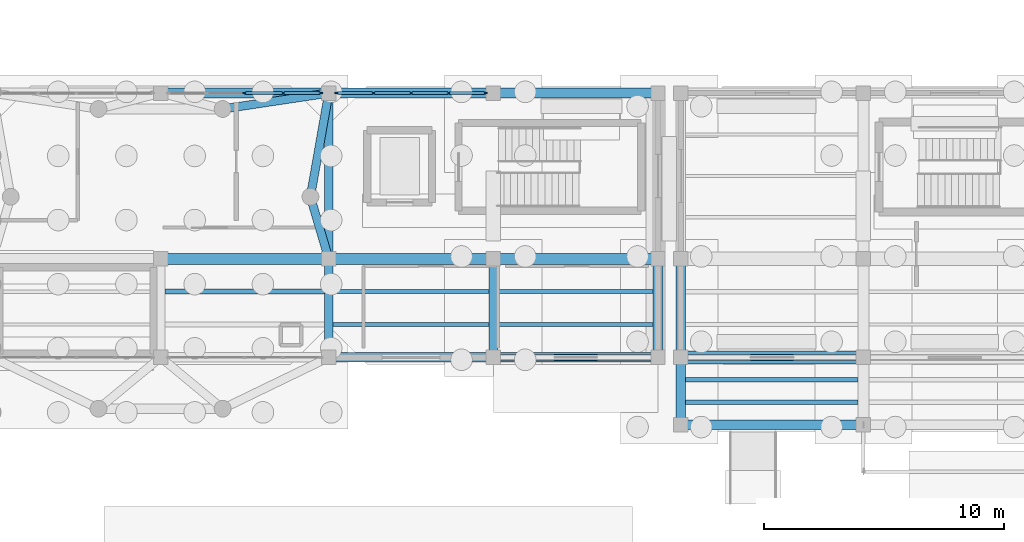
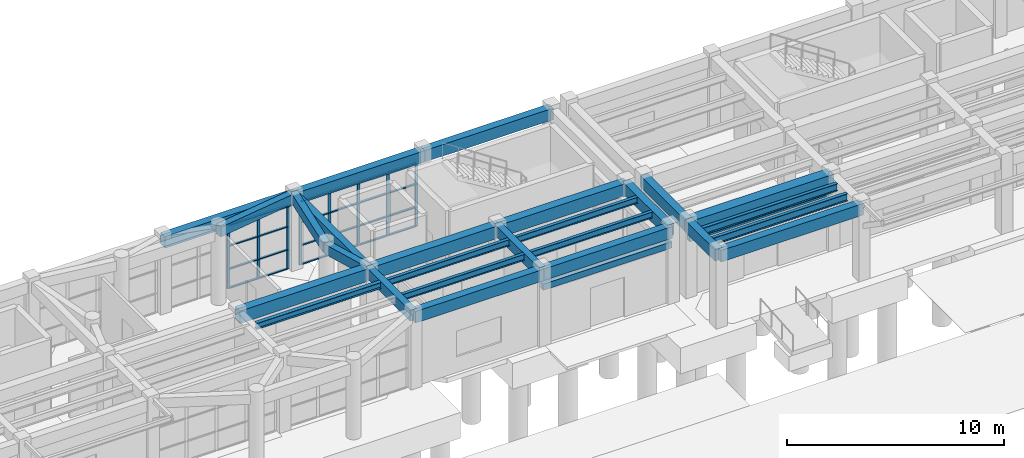
# One storey, part 12 of 41: 32 members, 28 beams, 2 elements without a shape of their own.
"""IFC4 building model written with IfcOpenShell, lengths in metres."""

from ifc_helpers import new_model, si_unit, direction, frame, origin, origin_2d, place, context, subcontext, project, spatial, rectangle, i_section, extrude, material, layer, layer_set, material_profile, profile_set, type_object, element, aggregate, save


model = new_model("IFC4")

# Units and contexts
model_context = context("Model", 3, precision=1e-05, world=origin(), true_north=direction((0.0, 1.0)))
body_context = subcontext(model_context, "Body", "Model", "MODEL_VIEW")
ifc_project = project(units=[si_unit("LENGTHUNIT", "METRE"), si_unit("AREAUNIT", "SQUARE_METRE"), si_unit("VOLUMEUNIT", "CUBIC_METRE"), si_unit("PLANEANGLEUNIT", "RADIAN"), si_unit("MASSUNIT", "GRAM", prefix="KILO")], contexts=[model_context])

# Site, building, storey
site_placement = place(None, origin())
site = spatial("IfcSite", under=ifc_project, at=site_placement, CompositionType="ELEMENT")
building_placement = place(site_placement, origin())
building = spatial("IfcBuilding", under=site, at=building_placement, Name="Candilejo Ridge Gondola Terminal", CompositionType="ELEMENT")
storey_placement = place(building_placement, origin())
storey = spatial("IfcBuildingStorey", under=building, at=storey_placement, Name="L00", CompositionType="ELEMENT", Elevation=0.0)

# Curtain wall, members
ifc_material_1 = material(Name="Anodised aluminium AA 6063-T6", Category="aluminium")
ifc_layer_1 = layer(ifc_material_1, 0.169921875)
ifc_layer_set_1 = layer_set([ifc_layer_1], Name="ARC-CW-DRUM-3400-640X359")
curtain_wall_type_1 = type_object("IfcCurtainWallType", Name="ARC-CW-DRUM-3400-640X359", PredefinedType="NOTDEFINED", material=ifc_layer_set_1)
curtain_wall_1_placement = place(storey_placement, origin())
curtain_wall_1 = element("IfcCurtainWall", 1, at=curtain_wall_1_placement, inside=storey, type_object=curtain_wall_type_1, Name="Curtain wall V2 L00-031", PredefinedType="NOTDEFINED")
ifc_material_2 = material(Name="Anodised aluminium AA 6063-T6", Category="aluminium")
ifc_material_profile_1 = material_profile(ifc_material_2, rectangle(XDim=0.06494140625, YDim=0.14990234375, at=origin_2d()))
ifc_profile_set_1 = profile_set([ifc_material_profile_1], Name="Anodised aluminium AA 6063-T6")
member_type_1 = type_object("IfcMemberType", Name="ARC-CW-MULLION-150", PredefinedType="MULLION", material=ifc_profile_set_1)
member_1_placement = place(storey_placement, frame((68.85009765625, 36.699951171875, 0.0), z_axis=(0.0, 0.0, 1.0), x_axis=(0.0, 1.0, 0.0)))
member_1 = element("IfcMember", 2, at=member_1_placement, type_object=member_type_1, Name="CW-64X35 mullion 3", PredefinedType="MULLION", context=body_context, shape_type="SweptSolid", body=[
    extrude(rectangle(XDim=0.06494140625, YDim=0.14990234375, at=origin_2d()), origin(), (0.0, 0.0, 1.0), 3.590087890625),
])
member_2_placement = place(storey_placement, frame((70.449951171875, 36.699951171875, 0.0), z_axis=(0.0, 0.0, 1.0), x_axis=(0.0, 1.0, 0.0)))
member_2 = element("IfcMember", 3, at=member_2_placement, type_object=member_type_1, Name="CW-64X35 mullion 4", PredefinedType="MULLION", context=body_context, shape_type="SweptSolid", body=[
    extrude(rectangle(XDim=0.06494140625, YDim=0.14990234375, at=origin_2d()), origin(), (0.0, 0.0, 1.0), 3.590087890625),
])
member_3_placement = place(storey_placement, frame((72.017578125, 36.699951171875, 0.0), z_axis=(0.0, 0.0, 1.0), x_axis=(0.0, 1.0, 0.0)))
member_3 = element("IfcMember", 4, at=member_3_placement, type_object=member_type_1, Name="CW-64X35 mullion 5", PredefinedType="MULLION", context=body_context, shape_type="SweptSolid", body=[
    extrude(rectangle(XDim=0.06494140625, YDim=0.14990234375, at=origin_2d()), origin(), (0.0, 0.0, 1.0), 3.590087890625),
])

ifc_material_3 = material(Name="Anodised aluminium AA 6063-T6", Category="aluminium")
ifc_layer_2 = layer(ifc_material_3, 0.169921875)
ifc_layer_set_2 = layer_set([ifc_layer_2], Name="ARC-CW-DRUM-3400-625X359")
curtain_wall_type_2 = type_object("IfcCurtainWallType", Name="ARC-CW-DRUM-3400-625X359", PredefinedType="NOTDEFINED", material=ifc_layer_set_2)
curtain_wall_2_placement = place(storey_placement, origin())
curtain_wall_2 = element("IfcCurtainWall", 5, at=curtain_wall_2_placement, inside=storey, type_object=curtain_wall_type_2, Name="Curtain wall V2 L00-033", PredefinedType="NOTDEFINED")
member_4_placement = place(storey_placement, frame((72.6826171875, 36.699951171875, 0.0), z_axis=(0.0, 0.0, 1.0), x_axis=(0.0, 1.0, 0.0)))
member_4 = element("IfcMember", 6, at=member_4_placement, type_object=member_type_1, Name="CW-62X35 mullion 1", PredefinedType="MULLION", context=body_context, shape_type="SweptSolid", body=[
    extrude(rectangle(XDim=0.06494140625, YDim=0.14990234375, at=origin_2d()), origin(), (0.0, 0.0, 1.0), 3.590087890625),
])
member_5_placement = place(storey_placement, frame((74.21240234375, 36.699951171875, 0.0), z_axis=(0.0, 0.0, 1.0), x_axis=(0.0, 1.0, 0.0)))
member_5 = element("IfcMember", 7, at=member_5_placement, type_object=member_type_1, Name="CW-62X35 mullion 2", PredefinedType="MULLION", context=body_context, shape_type="SweptSolid", body=[
    extrude(rectangle(XDim=0.06494140625, YDim=0.14990234375, at=origin_2d()), origin(), (0.0, 0.0, 1.0), 3.590087890625),
])
member_6_placement = place(storey_placement, frame((75.77490234375, 36.699951171875, 0.0), z_axis=(0.0, 0.0, 1.0), x_axis=(0.0, 1.0, 0.0)))
member_6 = element("IfcMember", 8, at=member_6_placement, type_object=member_type_1, Name="CW-62X35 mullion 3", PredefinedType="MULLION", context=body_context, shape_type="SweptSolid", body=[
    extrude(rectangle(XDim=0.06494140625, YDim=0.14990234375, at=origin_2d()), origin(), (0.0, 0.0, 1.0), 3.590087890625),
])
member_7_placement = place(storey_placement, frame((77.33740234375, 36.699951171875, 0.0), z_axis=(0.0, 0.0, 1.0), x_axis=(0.0, 1.0, 0.0)))
member_7 = element("IfcMember", 9, at=member_7_placement, type_object=member_type_1, Name="CW-62X35 mullion 4", PredefinedType="MULLION", context=body_context, shape_type="SweptSolid", body=[
    extrude(rectangle(XDim=0.06494140625, YDim=0.14990234375, at=origin_2d()), origin(), (0.0, 0.0, 1.0), 3.590087890625),
])
member_8_placement = place(storey_placement, frame((78.867431640625, 36.699951171875, 0.0), z_axis=(0.0, 0.0, 1.0), x_axis=(0.0, 1.0, 0.0)))
member_8 = element("IfcMember", 10, at=member_8_placement, type_object=member_type_1, Name="CW-62X35 mullion 5", PredefinedType="MULLION", context=body_context, shape_type="SweptSolid", body=[
    extrude(rectangle(XDim=0.06494140625, YDim=0.14990234375, at=origin_2d()), origin(), (0.0, 0.0, 1.0), 3.590087890625),
])

# Member
ifc_material_4 = material(Name="Anodised aluminium AA 6063-T6", Category="aluminium")
ifc_material_profile_2 = material_profile(ifc_material_4, rectangle(XDim=0.110107421875, YDim=0.06005859375, at=origin_2d()))
ifc_profile_set_2 = profile_set([ifc_material_profile_2], Name="Anodised aluminium AA 6063-T6")
member_type_2 = type_object("IfcMemberType", Name="ARC-CW-TRANSOM-110", PredefinedType="USERDEFINED", material=ifc_profile_set_2)
member_9_placement = place(storey_placement, frame((68.882568359375, 36.699951171875, 0.030029296875), z_axis=(1.0, 0.0, 0.0), x_axis=(0.0, 1.0, 0.0)))
member_9 = element("IfcMember", 11, at=member_9_placement, type_object=member_type_2, Name="CW-64X35 transom 3.1", ObjectType="TRANSOM", PredefinedType="USERDEFINED", context=body_context, shape_type="SweptSolid", body=[
    extrude(rectangle(XDim=0.110107421875, YDim=0.06005859375, at=origin_2d()), origin(), (0.0, 0.0, 1.0), 1.534912109375),
])

member_10_placement = place(storey_placement, frame((68.882568359375, 36.699951171875, 1.10009765625), z_axis=(1.0, 0.0, 0.0), x_axis=(0.0, 1.0, 0.0)))
member_10 = element("IfcMember", 12, at=member_10_placement, type_object=member_type_2, Name="CW-64X35 transom 3.2", ObjectType="TRANSOM", PredefinedType="USERDEFINED", context=body_context, shape_type="SweptSolid", body=[
    extrude(rectangle(XDim=0.110107421875, YDim=0.06005859375, at=origin_2d()), origin(), (0.0, 0.0, 1.0), 1.534912109375),
])

member_11_placement = place(storey_placement, frame((68.882568359375, 36.699951171875, 2.39990234375), z_axis=(1.0, 0.0, 0.0), x_axis=(0.0, 1.0, 0.0)))
member_11 = element("IfcMember", 13, at=member_11_placement, type_object=member_type_2, Name="CW-64X35 transom 3.3", ObjectType="TRANSOM", PredefinedType="USERDEFINED", context=body_context, shape_type="SweptSolid", body=[
    extrude(rectangle(XDim=0.110107421875, YDim=0.06005859375, at=origin_2d()), origin(), (0.0, 0.0, 1.0), 1.534912109375),
])

member_12_placement = place(storey_placement, frame((68.882568359375, 36.699951171875, 3.56005859375), z_axis=(1.0, 0.0, 0.0), x_axis=(0.0, 1.0, 0.0)))
member_12 = element("IfcMember", 14, at=member_12_placement, type_object=member_type_2, Name="CW-64X35 transom 3.4", ObjectType="TRANSOM", PredefinedType="USERDEFINED", context=body_context, shape_type="SweptSolid", body=[
    extrude(rectangle(XDim=0.110107421875, YDim=0.06005859375, at=origin_2d()), origin(), (0.0, 0.0, 1.0), 1.534912109375),
])

member_13_placement = place(storey_placement, frame((70.482421875, 36.699951171875, 0.030029296875), z_axis=(1.0, 0.0, 0.0), x_axis=(0.0, 1.0, 0.0)))
member_13 = element("IfcMember", 15, at=member_13_placement, type_object=member_type_2, Name="CW-64X35 transom 4.1", ObjectType="TRANSOM", PredefinedType="USERDEFINED", context=body_context, shape_type="SweptSolid", body=[
    extrude(rectangle(XDim=0.110107421875, YDim=0.06005859375, at=origin_2d()), origin(), (0.0, 0.0, 1.0), 1.502685546875),
])

member_14_placement = place(storey_placement, frame((70.482421875, 36.699951171875, 1.10009765625), z_axis=(1.0, 0.0, 0.0), x_axis=(0.0, 1.0, 0.0)))
member_14 = element("IfcMember", 16, at=member_14_placement, type_object=member_type_2, Name="CW-64X35 transom 4.2", ObjectType="TRANSOM", PredefinedType="USERDEFINED", context=body_context, shape_type="SweptSolid", body=[
    extrude(rectangle(XDim=0.110107421875, YDim=0.06005859375, at=origin_2d()), origin(), (0.0, 0.0, 1.0), 1.502685546875),
])

member_15_placement = place(storey_placement, frame((70.482421875, 36.699951171875, 2.39990234375), z_axis=(1.0, 0.0, 0.0), x_axis=(0.0, 1.0, 0.0)))
member_15 = element("IfcMember", 17, at=member_15_placement, type_object=member_type_2, Name="CW-64X35 transom 4.3", ObjectType="TRANSOM", PredefinedType="USERDEFINED", context=body_context, shape_type="SweptSolid", body=[
    extrude(rectangle(XDim=0.110107421875, YDim=0.06005859375, at=origin_2d()), origin(), (0.0, 0.0, 1.0), 1.502685546875),
])

member_16_placement = place(storey_placement, frame((70.482421875, 36.699951171875, 3.56005859375), z_axis=(1.0, 0.0, 0.0), x_axis=(0.0, 1.0, 0.0)))
member_16 = element("IfcMember", 18, at=member_16_placement, type_object=member_type_2, Name="CW-64X35 transom 4.4", ObjectType="TRANSOM", PredefinedType="USERDEFINED", context=body_context, shape_type="SweptSolid", body=[
    extrude(rectangle(XDim=0.110107421875, YDim=0.06005859375, at=origin_2d()), origin(), (0.0, 0.0, 1.0), 1.502685546875),
])

aggregate(curtain_wall_1, [member_1, member_2, member_3, member_9, member_10, member_11, member_12, member_13, member_14, member_15, member_16])

member_17_placement = place(storey_placement, frame((72.715087890625, 36.699951171875, 0.030029296875), z_axis=(1.0, 0.0, 0.0), x_axis=(0.0, 1.0, 0.0)))
member_17 = element("IfcMember", 19, at=member_17_placement, type_object=member_type_2, Name="CW-62X35 transom 1.1", ObjectType="TRANSOM", PredefinedType="USERDEFINED", context=body_context, shape_type="SweptSolid", body=[
    extrude(rectangle(XDim=0.110107421875, YDim=0.06005859375, at=origin_2d()), origin(), (0.0, 0.0, 1.0), 1.46484375),
])

member_18_placement = place(storey_placement, frame((72.715087890625, 36.699951171875, 1.10009765625), z_axis=(1.0, 0.0, 0.0), x_axis=(0.0, 1.0, 0.0)))
member_18 = element("IfcMember", 20, at=member_18_placement, type_object=member_type_2, Name="CW-62X35 transom 1.2", ObjectType="TRANSOM", PredefinedType="USERDEFINED", context=body_context, shape_type="SweptSolid", body=[
    extrude(rectangle(XDim=0.110107421875, YDim=0.06005859375, at=origin_2d()), origin(), (0.0, 0.0, 1.0), 1.46484375),
])

member_19_placement = place(storey_placement, frame((72.715087890625, 36.699951171875, 2.39990234375), z_axis=(1.0, 0.0, 0.0), x_axis=(0.0, 1.0, 0.0)))
member_19 = element("IfcMember", 21, at=member_19_placement, type_object=member_type_2, Name="CW-62X35 transom 1.3", ObjectType="TRANSOM", PredefinedType="USERDEFINED", context=body_context, shape_type="SweptSolid", body=[
    extrude(rectangle(XDim=0.110107421875, YDim=0.06005859375, at=origin_2d()), origin(), (0.0, 0.0, 1.0), 1.46484375),
])

member_20_placement = place(storey_placement, frame((72.715087890625, 36.699951171875, 3.56005859375), z_axis=(1.0, 0.0, 0.0), x_axis=(0.0, 1.0, 0.0)))
member_20 = element("IfcMember", 22, at=member_20_placement, type_object=member_type_2, Name="CW-62X35 transom 1.4", ObjectType="TRANSOM", PredefinedType="USERDEFINED", context=body_context, shape_type="SweptSolid", body=[
    extrude(rectangle(XDim=0.110107421875, YDim=0.06005859375, at=origin_2d()), origin(), (0.0, 0.0, 1.0), 1.46484375),
])

member_21_placement = place(storey_placement, frame((74.2451171875, 36.699951171875, 0.030029296875), z_axis=(1.0, 0.0, 0.0), x_axis=(0.0, 1.0, 0.0)))
member_21 = element("IfcMember", 23, at=member_21_placement, type_object=member_type_2, Name="CW-62X35 transom 2.1", ObjectType="TRANSOM", PredefinedType="USERDEFINED", context=body_context, shape_type="SweptSolid", body=[
    extrude(rectangle(XDim=0.110107421875, YDim=0.06005859375, at=origin_2d()), origin(), (0.0, 0.0, 1.0), 1.497314453125),
])

member_22_placement = place(storey_placement, frame((74.2451171875, 36.699951171875, 1.10009765625), z_axis=(1.0, 0.0, 0.0), x_axis=(0.0, 1.0, 0.0)))
member_22 = element("IfcMember", 24, at=member_22_placement, type_object=member_type_2, Name="CW-62X35 transom 2.2", ObjectType="TRANSOM", PredefinedType="USERDEFINED", context=body_context, shape_type="SweptSolid", body=[
    extrude(rectangle(XDim=0.110107421875, YDim=0.06005859375, at=origin_2d()), origin(), (0.0, 0.0, 1.0), 1.497314453125),
])

member_23_placement = place(storey_placement, frame((74.2451171875, 36.699951171875, 2.39990234375), z_axis=(1.0, 0.0, 0.0), x_axis=(0.0, 1.0, 0.0)))
member_23 = element("IfcMember", 25, at=member_23_placement, type_object=member_type_2, Name="CW-62X35 transom 2.3", ObjectType="TRANSOM", PredefinedType="USERDEFINED", context=body_context, shape_type="SweptSolid", body=[
    extrude(rectangle(XDim=0.110107421875, YDim=0.06005859375, at=origin_2d()), origin(), (0.0, 0.0, 1.0), 1.497314453125),
])

member_24_placement = place(storey_placement, frame((74.2451171875, 36.699951171875, 3.56005859375), z_axis=(1.0, 0.0, 0.0), x_axis=(0.0, 1.0, 0.0)))
member_24 = element("IfcMember", 26, at=member_24_placement, type_object=member_type_2, Name="CW-62X35 transom 2.4", ObjectType="TRANSOM", PredefinedType="USERDEFINED", context=body_context, shape_type="SweptSolid", body=[
    extrude(rectangle(XDim=0.110107421875, YDim=0.06005859375, at=origin_2d()), origin(), (0.0, 0.0, 1.0), 1.497314453125),
])

member_25_placement = place(storey_placement, frame((75.8076171875, 36.699951171875, 0.030029296875), z_axis=(1.0, 0.0, 0.0), x_axis=(0.0, 1.0, 0.0)))
member_25 = element("IfcMember", 27, at=member_25_placement, type_object=member_type_2, Name="CW-62X35 transom 3.1", ObjectType="TRANSOM", PredefinedType="USERDEFINED", context=body_context, shape_type="SweptSolid", body=[
    extrude(rectangle(XDim=0.110107421875, YDim=0.06005859375, at=origin_2d()), origin(), (0.0, 0.0, 1.0), 1.497314453125),
])

member_26_placement = place(storey_placement, frame((75.8076171875, 36.699951171875, 1.10009765625), z_axis=(1.0, 0.0, 0.0), x_axis=(0.0, 1.0, 0.0)))
member_26 = element("IfcMember", 28, at=member_26_placement, type_object=member_type_2, Name="CW-62X35 transom 3.2", ObjectType="TRANSOM", PredefinedType="USERDEFINED", context=body_context, shape_type="SweptSolid", body=[
    extrude(rectangle(XDim=0.110107421875, YDim=0.06005859375, at=origin_2d()), origin(), (0.0, 0.0, 1.0), 1.497314453125),
])

member_27_placement = place(storey_placement, frame((75.8076171875, 36.699951171875, 2.39990234375), z_axis=(1.0, 0.0, 0.0), x_axis=(0.0, 1.0, 0.0)))
member_27 = element("IfcMember", 29, at=member_27_placement, type_object=member_type_2, Name="CW-62X35 transom 3.3", ObjectType="TRANSOM", PredefinedType="USERDEFINED", context=body_context, shape_type="SweptSolid", body=[
    extrude(rectangle(XDim=0.110107421875, YDim=0.06005859375, at=origin_2d()), origin(), (0.0, 0.0, 1.0), 1.497314453125),
])

member_28_placement = place(storey_placement, frame((75.8076171875, 36.699951171875, 3.56005859375), z_axis=(1.0, 0.0, 0.0), x_axis=(0.0, 1.0, 0.0)))
member_28 = element("IfcMember", 30, at=member_28_placement, type_object=member_type_2, Name="CW-62X35 transom 3.4", ObjectType="TRANSOM", PredefinedType="USERDEFINED", context=body_context, shape_type="SweptSolid", body=[
    extrude(rectangle(XDim=0.110107421875, YDim=0.06005859375, at=origin_2d()), origin(), (0.0, 0.0, 1.0), 1.497314453125),
])

member_29_placement = place(storey_placement, frame((77.3701171875, 36.699951171875, 0.030029296875), z_axis=(1.0, 0.0, 0.0), x_axis=(0.0, 1.0, 0.0)))
member_29 = element("IfcMember", 31, at=member_29_placement, type_object=member_type_2, Name="CW-62X35 transom 4.1", ObjectType="TRANSOM", PredefinedType="USERDEFINED", context=body_context, shape_type="SweptSolid", body=[
    extrude(rectangle(XDim=0.110107421875, YDim=0.06005859375, at=origin_2d()), origin(), (0.0, 0.0, 1.0), 1.46484375),
])

member_30_placement = place(storey_placement, frame((77.3701171875, 36.699951171875, 1.10009765625), z_axis=(1.0, 0.0, 0.0), x_axis=(0.0, 1.0, 0.0)))
member_30 = element("IfcMember", 32, at=member_30_placement, type_object=member_type_2, Name="CW-62X35 transom 4.2", ObjectType="TRANSOM", PredefinedType="USERDEFINED", context=body_context, shape_type="SweptSolid", body=[
    extrude(rectangle(XDim=0.110107421875, YDim=0.06005859375, at=origin_2d()), origin(), (0.0, 0.0, 1.0), 1.46484375),
])

member_31_placement = place(storey_placement, frame((77.3701171875, 36.699951171875, 2.39990234375), z_axis=(1.0, 0.0, 0.0), x_axis=(0.0, 1.0, 0.0)))
member_31 = element("IfcMember", 33, at=member_31_placement, type_object=member_type_2, Name="CW-62X35 transom 4.3", ObjectType="TRANSOM", PredefinedType="USERDEFINED", context=body_context, shape_type="SweptSolid", body=[
    extrude(rectangle(XDim=0.110107421875, YDim=0.06005859375, at=origin_2d()), origin(), (0.0, 0.0, 1.0), 1.46484375),
])

member_32_placement = place(storey_placement, frame((77.3701171875, 36.699951171875, 3.56005859375), z_axis=(1.0, 0.0, 0.0), x_axis=(0.0, 1.0, 0.0)))
member_32 = element("IfcMember", 34, at=member_32_placement, type_object=member_type_2, Name="CW-62X35 transom 4.4", ObjectType="TRANSOM", PredefinedType="USERDEFINED", context=body_context, shape_type="SweptSolid", body=[
    extrude(rectangle(XDim=0.110107421875, YDim=0.06005859375, at=origin_2d()), origin(), (0.0, 0.0, 1.0), 1.46484375),
])

aggregate(curtain_wall_2, [member_4, member_5, member_6, member_7, member_8, member_17, member_18, member_19, member_20, member_21, member_22, member_23, member_24, member_25, member_26, member_27, member_28, member_29, member_30, member_31, member_32])

# Beams
ifc_material_5 = material(Name="Concrete f'c 35 MPa (C35/45)", Category="concrete")
ifc_material_profile_3 = material_profile(ifc_material_5, rectangle(XDim=0.35009765625, YDim=0.550048828125, at=origin_2d()))
ifc_profile_set_3 = profile_set([ifc_material_profile_3], Name="Concrete f'c 35 MPa (C35/45)")
beam_type_1 = type_object("IfcBeamType", Name="STR-BM-RC350X550", PredefinedType="BEAM", material=ifc_profile_set_3)
beam_1_placement = place(storey_placement, frame((71.586181640625, 32.383056640625, 3.985107421875), z_axis=(0.283603790168, -0.958941546812, 0.0), x_axis=(0.958941546812, 0.283603790168, 0.0)))
element("IfcBeam", 35, at=beam_1_placement, inside=storey, type_object=beam_type_1, Name="Rotunda radial tie beam L00 ROT1", PredefinedType="BEAM", context=body_context, shape_type="SweptSolid", body=[
    extrude(rectangle(XDim=0.35009765625, YDim=0.550048828125, at=origin_2d()), origin(), (0.0, 0.0, 1.0), 2.693603515625),
])
beam_2_placement = place(storey_placement, frame((71.586181640625, 32.383056640625, 3.985107421875), z_axis=(0.174252320949, 0.984701035159, 0.0), x_axis=(-0.984701035159, 0.174252320949, 0.0)))
element("IfcBeam", 36, at=beam_2_placement, inside=storey, type_object=beam_type_1, Name="Rotunda radial tie beam L00 ROT1", PredefinedType="BEAM", context=body_context, shape_type="SweptSolid", body=[
    extrude(rectangle(XDim=0.35009765625, YDim=0.550048828125, at=origin_2d()), origin(), (0.0, 0.0, 1.0), 4.384033203125),
])
beam_3_placement = place(storey_placement, frame((67.93310546875, 36.0361328125, 3.985107421875), z_axis=(0.98889461777, 0.148618420612, 0.0), x_axis=(-0.148618420612, 0.98889461777, 0.0)))
element("IfcBeam", 37, at=beam_3_placement, inside=storey, type_object=beam_type_1, Name="Rotunda radial tie beam L00 ROT2", PredefinedType="BEAM", context=body_context, shape_type="SweptSolid", body=[
    extrude(rectangle(XDim=0.35009765625, YDim=0.550048828125, at=origin_2d()), origin(), (0.0, 0.0, 1.0), 4.466552734375),
])
ifc_material_6 = material(Name="Concrete f'c 35 MPa (C35/45)", Category="concrete")
ifc_material_profile_4 = material_profile(ifc_material_6, rectangle(XDim=0.35009765625, YDim=0.60009765625, at=origin_2d()))
ifc_profile_set_4 = profile_set([ifc_material_profile_4], Name="Concrete f'c 35 MPa (C35/45)")
beam_type_2 = type_object("IfcBeamType", Name="STR-BM-RC350X600", PredefinedType="BEAM", material=ifc_profile_set_4)
beam_4_placement = place(storey_placement, frame((72.35009765625, 25.699951171875, 3.9599609375), z_axis=(0.0, 1.0, 0.0), x_axis=(-1.0, 0.0, 0.0)))
element("IfcBeam", 38, at=beam_4_placement, inside=storey, type_object=beam_type_2, Name="Beam Y V2 L00 Y05-Y06@X11", PredefinedType="BEAM", context=body_context, shape_type="SweptSolid", body=[
    extrude(rectangle(XDim=0.35009765625, YDim=0.60009765625, at=origin_2d()), origin(), (0.0, 0.0, 1.0), 4.10009765625),
])
beam_5_placement = place(storey_placement, frame((72.35009765625, 29.800048828125, 3.9599609375), z_axis=(0.0, 1.0, 0.0), x_axis=(-1.0, 0.0, 0.0)))
element("IfcBeam", 39, at=beam_5_placement, inside=storey, type_object=beam_type_2, Name="Beam Y V2 L00 Y06-Y07@X11", PredefinedType="BEAM", context=body_context, shape_type="SweptSolid", body=[
    extrude(rectangle(XDim=0.35009765625, YDim=0.60009765625, at=origin_2d()), origin(), (0.0, 0.0, 1.0), 6.89990234375),
])
beam_6_placement = place(storey_placement, frame((79.199951171875, 25.699951171875, 3.9599609375), z_axis=(0.0, 1.0, 0.0), x_axis=(-1.0, 0.0, 0.0)))
element("IfcBeam", 40, at=beam_6_placement, inside=storey, type_object=beam_type_2, Name="Beam Y V2 L00 Y05-Y06@X12", PredefinedType="BEAM", context=body_context, shape_type="SweptSolid", body=[
    extrude(rectangle(XDim=0.35009765625, YDim=0.60009765625, at=origin_2d()), origin(), (0.0, 0.0, 1.0), 4.10009765625),
])
ifc_material_7 = material(Name="Concrete f'c 35 MPa (C35/45)", Category="concrete")
ifc_material_profile_5 = material_profile(ifc_material_7, rectangle(XDim=0.449951171875, YDim=0.699951171875, at=origin_2d()))
ifc_profile_set_5 = profile_set([ifc_material_profile_5], Name="Concrete f'c 35 MPa (C35/45)")
beam_type_3 = type_object("IfcBeamType", Name="STR-BM-RC450X700", PredefinedType="BEAM", material=ifc_profile_set_5)
beam_7_placement = place(storey_placement, frame((65.35009765625, 29.800048828125, 3.909912109375), z_axis=(1.0, 0.0, 0.0), x_axis=(0.0, 1.0, 0.0)))
element("IfcBeam", 41, at=beam_7_placement, inside=storey, type_object=beam_type_3, Name="Beam X V2 L00 X10-X11@Y06", PredefinedType="BEAM", context=body_context, shape_type="SweptSolid", body=[
    extrude(rectangle(XDim=0.449951171875, YDim=0.699951171875, at=origin_2d()), origin(), (0.0, 0.0, 1.0), 7.0),
])
beam_8_placement = place(storey_placement, frame((72.35009765625, 29.800048828125, 3.909912109375), z_axis=(1.0, 0.0, 0.0), x_axis=(0.0, 1.0, 0.0)))
element("IfcBeam", 42, at=beam_8_placement, inside=storey, type_object=beam_type_3, Name="Beam X V2 L00 X11-X12@Y06", PredefinedType="BEAM", context=body_context, shape_type="SweptSolid", body=[
    extrude(rectangle(XDim=0.449951171875, YDim=0.699951171875, at=origin_2d()), origin(), (0.0, 0.0, 1.0), 6.849853515625),
])
beam_9_placement = place(storey_placement, frame((79.199951171875, 29.800048828125, 3.909912109375), z_axis=(1.0, 0.0, 0.0), x_axis=(0.0, 1.0, 0.0)))
element("IfcBeam", 43, at=beam_9_placement, inside=storey, type_object=beam_type_3, Name="Beam X V2 L00 X12-X13@Y06", PredefinedType="BEAM", context=body_context, shape_type="SweptSolid", body=[
    extrude(rectangle(XDim=0.449951171875, YDim=0.699951171875, at=origin_2d()), origin(), (0.0, 0.0, 1.0), 6.85009765625),
])
ifc_material_8 = material(Name="Concrete f'c 35 MPa (C35/45)", Category="concrete")
ifc_material_profile_6 = material_profile(ifc_material_8, rectangle(XDim=0.550048828125, YDim=0.85009765625, at=origin_2d()))
ifc_profile_set_6 = profile_set([ifc_material_profile_6], Name="Concrete f'c 35 MPa (C35/45)")
beam_type_4 = type_object("IfcBeamType", Name="STR-BM-RC550X850", PredefinedType="BEAM", material=ifc_profile_set_6)
beam_10_placement = place(storey_placement, frame((87.0, 25.699951171875, 3.8349609375), z_axis=(1.0, 0.0, 0.0), x_axis=(0.0, 1.0, 0.0)))
element("IfcBeam", 44, at=beam_10_placement, inside=storey, type_object=beam_type_4, Name="Beam X V3 L00 X14-X15@Y05", PredefinedType="BEAM", context=body_context, shape_type="SweptSolid", body=[
    extrude(rectangle(XDim=0.550048828125, YDim=0.85009765625, at=origin_2d()), origin(), (0.0, 0.0, 1.0), 7.60009765625),
])
ifc_material_9 = material(Name="Steel ASTM A992 Grade 50", Category="steel")
ifc_material_profile_7 = material_profile(ifc_material_9, i_section(OverallWidth=0.1708984375, OverallDepth=0.35205078125, WebThickness=0.0068359375, FlangeThickness=0.009765625, at=origin_2d()))
ifc_profile_set_7 = profile_set([ifc_material_profile_7], Name="Steel ASTM A992 Grade 50")
beam_type_5 = type_object("IfcBeamType", Name="STR-JST-W360X44", PredefinedType="JOIST", material=ifc_profile_set_7)
for number, where, z_axis, x_axis, name in (
    (45, (79.375, 27.066650390625, 4.083984375), (1.0, 0.0, 0.0), (0.0, 1.0, 0.0), "Composite joist V2 L00-0208"),
    (46, (79.375, 28.433349609375, 4.083984375), (1.0, 0.0, 0.0), (0.0, 1.0, 0.0), "Composite joist V2 L00-0209"),
):
    element("IfcBeam", number, at=place(storey_placement, frame(where, z_axis=z_axis, x_axis=x_axis)), inside=storey, type_object=beam_type_5, Name=name, PredefinedType="JOIST", context=body_context, shape_type="SweptSolid", body=[
        extrude(i_section(OverallWidth=0.1708984375, OverallDepth=0.35205078125, WebThickness=0.0068359375, FlangeThickness=0.009765625, at=origin_2d()), origin(), (0.0, 0.0, 1.0), 6.47509765625),
    ])
ifc_material_10 = material(Name="Steel ASTM A992 Grade 50", Category="steel")
ifc_material_profile_8 = material_profile(ifc_material_10, i_section(OverallWidth=0.1708984375, OverallDepth=0.35498046875, WebThickness=0.007080078125, FlangeThickness=0.01171875, at=origin_2d()))
ifc_profile_set_8 = profile_set([ifc_material_profile_8], Name="Steel ASTM A992 Grade 50")
beam_type_6 = type_object("IfcBeamType", Name="STR-JST-W360X51", PredefinedType="JOIST", material=ifc_profile_set_8)
for number, where, z_axis, x_axis, name in (
    (47, (72.52490234375, 27.066650390625, 4.08251953125), (1.0, 0.0, 0.0), (0.0, 1.0, 0.0), "Composite joist V2 L00-0206"),
    (48, (72.52490234375, 28.433349609375, 4.08251953125), (1.0, 0.0, 0.0), (0.0, 1.0, 0.0), "Composite joist V2 L00-0207"),
):
    element("IfcBeam", number, at=place(storey_placement, frame(where, z_axis=z_axis, x_axis=x_axis)), inside=storey, type_object=beam_type_6, Name=name, PredefinedType="JOIST", context=body_context, shape_type="SweptSolid", body=[
        extrude(i_section(OverallWidth=0.1708984375, OverallDepth=0.35498046875, WebThickness=0.007080078125, FlangeThickness=0.01171875, at=origin_2d()), origin(), (0.0, 0.0, 1.0), 6.5),
    ])
ifc_material_11 = material(Name="Steel ASTM A992 Grade 50", Category="steel")
ifc_material_profile_9 = material_profile(ifc_material_11, i_section(OverallWidth=0.205078125, OverallDepth=0.35400390625, WebThickness=0.009521484375, FlangeThickness=0.016845703125, at=origin_2d()))
ifc_profile_set_9 = profile_set([ifc_material_profile_9], Name="Steel ASTM A992 Grade 50")
beam_type_7 = type_object("IfcBeamType", Name="STR-JST-W360X79", PredefinedType="JOIST", material=ifc_profile_set_9)
beam_11_placement = place(storey_placement, frame((65.52490234375, 28.433349609375, 4.0830078125), z_axis=(1.0, 0.0, 0.0), x_axis=(0.0, 1.0, 0.0)))
element("IfcBeam", 49, at=beam_11_placement, inside=storey, type_object=beam_type_7, Name="Composite joist V2 L00-0205", PredefinedType="JOIST", context=body_context, shape_type="SweptSolid", body=[
    extrude(i_section(OverallWidth=0.205078125, OverallDepth=0.35400390625, WebThickness=0.009521484375, FlangeThickness=0.016845703125, at=origin_2d()), origin(), (0.0, 0.0, 1.0), 6.650146484375),
])
ifc_material_12 = material(Name="Steel ASTM A992 Grade 50", Category="steel")
ifc_material_profile_10 = material_profile(ifc_material_12, i_section(OverallWidth=0.180908203125, OverallDepth=0.4169921875, WebThickness=0.010986328125, FlangeThickness=0.018310546875, at=origin_2d()))
ifc_profile_set_10 = profile_set([ifc_material_profile_10], Name="Steel ASTM A992 Grade 50")
beam_type_8 = type_object("IfcBeamType", Name="STR-JST-W410X85", PredefinedType="JOIST", material=ifc_profile_set_10)
for number, where, z_axis, x_axis, name in (
    (50, (87.199951171875, 23.833251953125, 4.051513671875), (1.0, 0.0, 0.0), (0.0, 1.0, 0.0), "Composite joist V3 L00-0406"),
    (51, (87.199951171875, 24.7666015625, 4.051513671875), (1.0, 0.0, 0.0), (0.0, 1.0, 0.0), "Composite joist V3 L00-0407"),
):
    element("IfcBeam", number, at=place(storey_placement, frame(where, z_axis=z_axis, x_axis=x_axis)), inside=storey, type_object=beam_type_8, Name=name, PredefinedType="JOIST", context=body_context, shape_type="SweptSolid", body=[
        extrude(i_section(OverallWidth=0.180908203125, OverallDepth=0.4169921875, WebThickness=0.010986328125, FlangeThickness=0.018310546875, at=origin_2d()), origin(), (0.0, 0.0, 1.0), 7.175048828125),
    ])
ifc_material_13 = material(Name="Concrete f'c 35 MPa (C35/45)", Category="concrete")
ifc_material_profile_11 = material_profile(ifc_material_13, rectangle(XDim=0.25, YDim=0.35009765625, at=origin_2d()))
ifc_profile_set_11 = profile_set([ifc_material_profile_11], Name="Concrete f'c 35 MPa (C35/45)")
beam_type_9 = type_object("IfcBeamType", Name="STR-LNT-RC250X350", PredefinedType="LINTEL", material=ifc_profile_set_11)
beam_12_placement = place(storey_placement, frame((79.199951171875, 25.699951171875, 3.179931640625), z_axis=(1.0, 0.0, 0.0), x_axis=(0.0, 1.0, 0.0)))
element("IfcBeam", 52, at=beam_12_placement, inside=storey, type_object=beam_type_9, Name="Opening lintel L00-07", PredefinedType="LINTEL", context=body_context, shape_type="SweptSolid", body=[
    extrude(rectangle(XDim=0.25, YDim=0.35009765625, at=origin_2d()), origin(), (0.0, 0.0, 1.0), 6.85009765625),
])
beam_13_placement = place(storey_placement, frame((87.0, 25.699951171875, 3.179931640625), z_axis=(1.0, 0.0, 0.0), x_axis=(0.0, 1.0, 0.0)))
element("IfcBeam", 53, at=beam_13_placement, inside=storey, type_object=beam_type_9, Name="Opening lintel L00-08", PredefinedType="LINTEL", context=body_context, shape_type="SweptSolid", body=[
    extrude(rectangle(XDim=0.25, YDim=0.35009765625, at=origin_2d()), origin(), (0.0, 0.0, 1.0), 7.60009765625),
])
ifc_material_14 = material(Name="Concrete f'c 35 MPa (C35/45)", Category="concrete")
ifc_material_profile_12 = material_profile(ifc_material_14, rectangle(XDim=0.39990234375, YDim=0.64990234375, at=origin_2d()))
ifc_profile_set_12 = profile_set([ifc_material_profile_12], Name="Concrete f'c 35 MPa (C35/45)")
beam_type_10 = type_object("IfcBeamType", Name="STR-SPN-RC400X650", PredefinedType="SPANDREL", material=ifc_profile_set_12)
beam_14_placement = place(storey_placement, frame((72.35009765625, 25.699951171875, 3.93505859375), z_axis=(1.0, 0.0, 0.0), x_axis=(0.0, 1.0, 0.0)))
element("IfcBeam", 54, at=beam_14_placement, inside=storey, type_object=beam_type_10, Name="Beam X V2 L00 X11-X12@Y05", PredefinedType="SPANDREL", context=body_context, shape_type="SweptSolid", body=[
    extrude(rectangle(XDim=0.39990234375, YDim=0.64990234375, at=origin_2d()), origin(), (0.0, 0.0, 1.0), 6.849853515625),
])
beam_15_placement = place(storey_placement, frame((79.199951171875, 25.699951171875, 3.93505859375), z_axis=(1.0, 0.0, 0.0), x_axis=(0.0, 1.0, 0.0)))
element("IfcBeam", 55, at=beam_15_placement, inside=storey, type_object=beam_type_10, Name="Beam X V2 L00 X12-X13@Y05", PredefinedType="SPANDREL", context=body_context, shape_type="SweptSolid", body=[
    extrude(rectangle(XDim=0.39990234375, YDim=0.64990234375, at=origin_2d()), origin(), (0.0, 0.0, 1.0), 6.85009765625),
])
beam_16_placement = place(storey_placement, frame((65.35009765625, 36.699951171875, 3.93505859375), z_axis=(1.0, 0.0, 0.0), x_axis=(0.0, 1.0, 0.0)))
element("IfcBeam", 56, at=beam_16_placement, inside=storey, type_object=beam_type_10, Name="Beam X V2 L00 X10-X11@Y07", PredefinedType="SPANDREL", context=body_context, shape_type="SweptSolid", body=[
    extrude(rectangle(XDim=0.39990234375, YDim=0.64990234375, at=origin_2d()), origin(), (0.0, 0.0, 1.0), 7.0),
])
beam_17_placement = place(storey_placement, frame((72.35009765625, 36.699951171875, 3.93505859375), z_axis=(1.0, 0.0, 0.0), x_axis=(0.0, 1.0, 0.0)))
element("IfcBeam", 57, at=beam_17_placement, inside=storey, type_object=beam_type_10, Name="Beam X V2 L00 X11-X12@Y07", PredefinedType="SPANDREL", context=body_context, shape_type="SweptSolid", body=[
    extrude(rectangle(XDim=0.39990234375, YDim=0.64990234375, at=origin_2d()), origin(), (0.0, 0.0, 1.0), 6.849853515625),
])
beam_18_placement = place(storey_placement, frame((79.199951171875, 36.699951171875, 3.93505859375), z_axis=(1.0, 0.0, 0.0), x_axis=(0.0, 1.0, 0.0)))
element("IfcBeam", 58, at=beam_18_placement, inside=storey, type_object=beam_type_10, Name="Beam X V2 L00 X12-X13@Y07", PredefinedType="SPANDREL", context=body_context, shape_type="SweptSolid", body=[
    extrude(rectangle(XDim=0.39990234375, YDim=0.64990234375, at=origin_2d()), origin(), (0.0, 0.0, 1.0), 6.85009765625),
])
beam_19_placement = place(storey_placement, frame((86.050048828125, 25.699951171875, 3.93505859375), z_axis=(0.0, 1.0, 0.0), x_axis=(-1.0, 0.0, 0.0)))
element("IfcBeam", 59, at=beam_19_placement, inside=storey, type_object=beam_type_10, Name="Beam Y V2 L00 Y05-Y06@X13", PredefinedType="SPANDREL", context=body_context, shape_type="SweptSolid", body=[
    extrude(rectangle(XDim=0.39990234375, YDim=0.64990234375, at=origin_2d()), origin(), (0.0, 0.0, 1.0), 4.10009765625),
])
beam_20_placement = place(storey_placement, frame((87.0, 22.89990234375, 3.93505859375), z_axis=(1.0, 0.0, 0.0), x_axis=(0.0, 1.0, 0.0)))
element("IfcBeam", 60, at=beam_20_placement, inside=storey, type_object=beam_type_10, Name="Beam X V3 L00 X14-X15@Y04", PredefinedType="SPANDREL", context=body_context, shape_type="SweptSolid", body=[
    extrude(rectangle(XDim=0.39990234375, YDim=0.64990234375, at=origin_2d()), origin(), (0.0, 0.0, 1.0), 7.60009765625),
])
beam_21_placement = place(storey_placement, frame((87.0, 22.89990234375, 3.93505859375), z_axis=(0.0, 1.0, 0.0), x_axis=(-1.0, 0.0, 0.0)))
element("IfcBeam", 61, at=beam_21_placement, inside=storey, type_object=beam_type_10, Name="Beam Y V3 L00 Y04-Y05@X14", PredefinedType="SPANDREL", context=body_context, shape_type="SweptSolid", body=[
    extrude(rectangle(XDim=0.39990234375, YDim=0.64990234375, at=origin_2d()), origin(), (0.0, 0.0, 1.0), 2.800048828125),
])
beam_22_placement = place(storey_placement, frame((87.0, 25.699951171875, 3.93505859375), z_axis=(0.0, 1.0, 0.0), x_axis=(-1.0, 0.0, 0.0)))
element("IfcBeam", 62, at=beam_22_placement, inside=storey, type_object=beam_type_10, Name="Beam Y V3 L00 Y05-Y06@X14", PredefinedType="SPANDREL", context=body_context, shape_type="SweptSolid", body=[
    extrude(rectangle(XDim=0.39990234375, YDim=0.64990234375, at=origin_2d()), origin(), (0.0, 0.0, 1.0), 4.10009765625),
])

save(model, "model.ifc")
